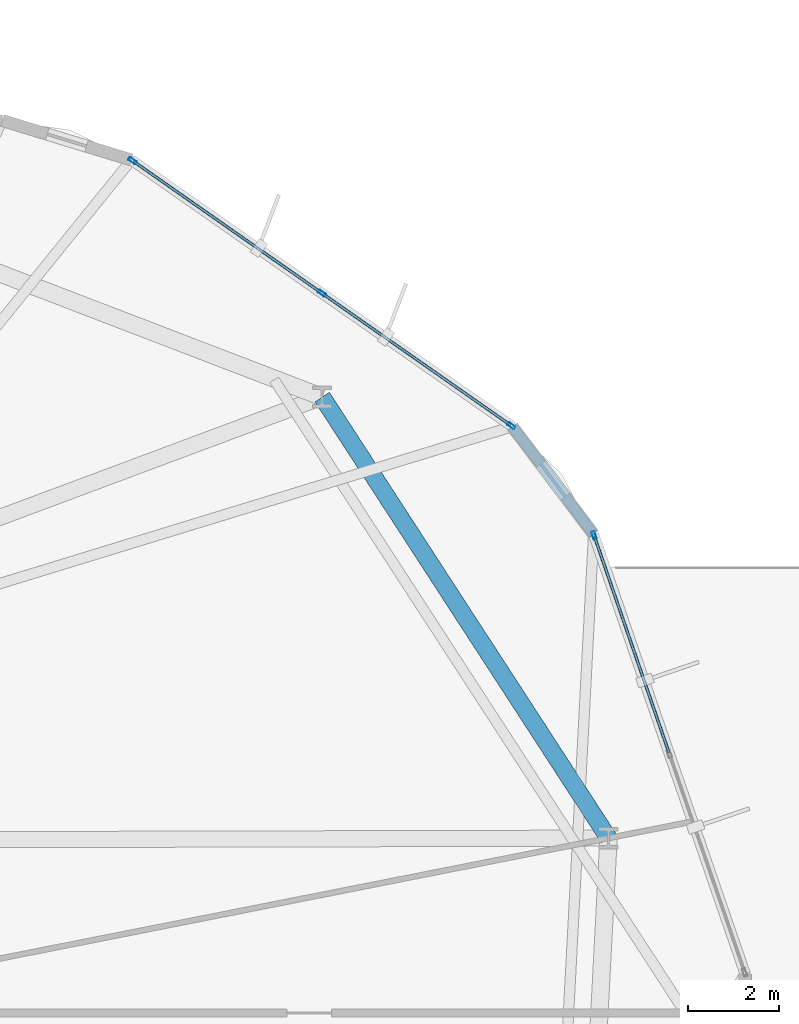
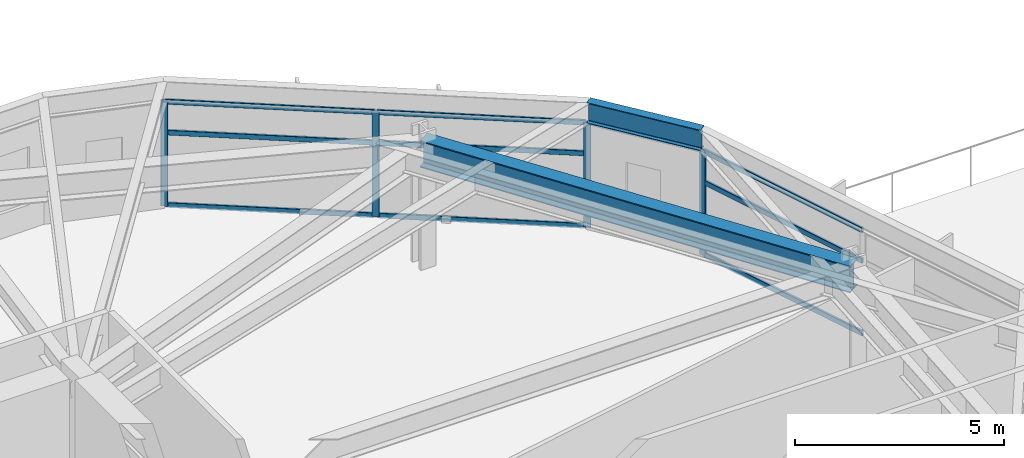
# One storey, part 15 of 23: 13 members, 2 beams, 2 elements without a shape of their own.
"""IFC4 building model written with IfcOpenShell, lengths in metres."""

import ifcopenshell
import ifcopenshell.guid

model = None  # the IFC model being written
_history = None  # IfcOwnerHistory: only IFC2X3 demands one
_inside = {}  # id of a spatial element -> (the spatial element, [elements in it])
_under = {}  # id of a project, library or spatial element -> (it, [spatial elements below it])
_declared = {}  # id of a project -> (the project, [libraries it declares])
_typed = {}  # id of a type object -> (the type object, [elements of that type])
_made_of = {}  # id of a material, layer set ... -> (it, [elements and type objects made of it])


def new_model(schema):
    """Start an empty IFC model of exactly this schema.

    Asked for "IFC4X3", IfcOpenShell would pick the latest addendum, in which some entities
    have other attributes; the version numbers below select the first issue.
    IFC2X3 requires an IfcOwnerHistory on every rooted entity: one is made here for all.
    """
    global model, _history
    if schema == "IFC4X3":
        model = ifcopenshell.file(schema_version=(4, 3, 0, 0))
    else:
        model = ifcopenshell.file(schema=schema)
    _inside.clear()
    _under.clear()
    _declared.clear()
    _typed.clear()
    _made_of.clear()
    _history = None
    if model.schema == "IFC2X3":
        org = make("IfcOrganization", Name="unknown")
        user = make(
            "IfcPersonAndOrganization",
            ThePerson=make("IfcPerson", FamilyName="unknown"),
            TheOrganization=org,
        )
        app = make(
            "IfcApplication",
            ApplicationDeveloper=org,
            Version="unknown",
            ApplicationFullName="unknown",
            ApplicationIdentifier="unknown",
        )
        _history = make(
            "IfcOwnerHistory",
            OwningUser=user,
            OwningApplication=app,
            ChangeAction="ADDED",
            CreationDate=0,
        )
    return model


def make(cls, **values):
    """One entity of the class cls with the attributes given. An attribute that is None is left unset."""
    return model.create_entity(
        cls, **{name: value for name, value in values.items() if value is not None}
    )


def rooted(cls, **values):
    """An entity with a GlobalId (a new one), such as an element, a storey or a relation."""
    return make(cls, GlobalId=ifcopenshell.guid.new(), OwnerHistory=_history, **values)


def si_unit(unit_type, name, prefix=None):
    """IfcSIUnit, for example si_unit("LENGTHUNIT", "METRE", prefix="MILLI")."""
    return make("IfcSIUnit", UnitType=unit_type, Prefix=prefix, Name=name)


def assignment(units):
    """IfcUnitAssignment: the units of a project."""
    return None if units is None else make("IfcUnitAssignment", Units=units)


def point(xyz):
    """IfcCartesianPoint."""
    return None if xyz is None else make("IfcCartesianPoint", Coordinates=xyz)


def direction(xyz):
    """IfcDirection."""
    return None if xyz is None else make("IfcDirection", DirectionRatios=xyz)


def frame(location, z_axis=None, x_axis=None):
    """IfcAxis2Placement3D, a coordinate frame: its origin and axes. An axis left out is left unset."""
    return make(
        "IfcAxis2Placement3D",
        Location=point(location),
        Axis=direction(z_axis),
        RefDirection=direction(x_axis),
    )


def frame_2d(location, x_axis=None):
    """IfcAxis2Placement2D, a coordinate frame in the plane: its origin and x axis."""
    return make(
        "IfcAxis2Placement2D", Location=point(location), RefDirection=direction(x_axis)
    )


def origin():
    """The frame at (0, 0, 0) with its axes left unset."""
    return frame((0.0, 0.0, 0.0))


def origin_2d():
    """The frame at (0, 0) in the plane with its x axis left unset."""
    return frame_2d((0.0, 0.0))


def place(relative_to, where):
    """IfcLocalPlacement: puts the frame where relative to a parent placement (None: the world)."""
    return make(
        "IfcLocalPlacement", PlacementRelTo=relative_to, RelativePlacement=where
    )


def context(
    kind, dimensions, precision=None, world=None, true_north=None, identifier=None
):
    """IfcGeometricRepresentationContext, for example the 3D "Model" context."""
    return make(
        "IfcGeometricRepresentationContext",
        ContextIdentifier=identifier,
        ContextType=kind,
        CoordinateSpaceDimension=dimensions,
        Precision=precision,
        WorldCoordinateSystem=world,
        TrueNorth=true_north,
    )


def subcontext(parent, identifier, kind, view, scale=None):
    """IfcGeometricRepresentationSubContext, for example "Body" below "Model"."""
    return make(
        "IfcGeometricRepresentationSubContext",
        ContextIdentifier=identifier,
        ContextType=kind,
        ParentContext=parent,
        TargetScale=scale,
        TargetView=view,
    )


def project(units=None, contexts=None):
    """IfcProject with its units and contexts."""
    return rooted(
        "IfcProject",
        Name="project",
        RepresentationContexts=contexts,
        UnitsInContext=assignment(units),
    )


def spatial(cls, under=None, at=None, **own):
    """A site, building, storey or space (cls), placed at a placement, below another one or the project."""
    s = rooted(cls, ObjectPlacement=at, **own)
    if under is not None:
        _under.setdefault(under.id(), (under, []))[1].append(s)
    return s


def profile(cls, at=None, kind="AREA", **sizes):
    """A parametric profile (cls). Its sizes go by their IFC names, for example OverallWidth=200.0."""
    return make(cls, ProfileType=kind, Position=at, **sizes)


def hollow_rectangle(**sizes):
    """IfcRectangleHollowProfileDef."""
    return profile("IfcRectangleHollowProfileDef", **sizes)


def i_section(**sizes):
    """IfcIShapeProfileDef."""
    return profile("IfcIShapeProfileDef", **sizes)


def extrude(swept, where, along, depth):
    """IfcExtrudedAreaSolid: the profile swept, set in the frame where, extruded along a direction by depth."""
    return make(
        "IfcExtrudedAreaSolid",
        SweptArea=swept,
        Position=where,
        ExtrudedDirection=direction(along),
        Depth=depth,
    )


def shape(context_of_items, identifier, shape_type, items):
    """IfcShapeRepresentation: the items that make up one representation, for example the "Body"."""
    return make(
        "IfcShapeRepresentation",
        ContextOfItems=context_of_items,
        RepresentationIdentifier=identifier,
        RepresentationType=shape_type,
        Items=items,
    )


def material(Name=None, Category=None):
    """IfcMaterial."""
    return make("IfcMaterial", Name=Name, Category=Category)


def layer(
    of_material, thickness, ventilated=None, Name=None, Category=None, Priority=None
):
    """IfcMaterialLayer: one layer of a wall or slab, of a material (None: an air gap)."""
    return make(
        "IfcMaterialLayer",
        Material=of_material,
        LayerThickness=thickness,
        IsVentilated=ventilated,
        Name=Name,
        Category=Category,
        Priority=Priority,
    )


def layer_set(layers, Name=None):
    """IfcMaterialLayerSet."""
    return make("IfcMaterialLayerSet", MaterialLayers=layers, LayerSetName=Name)


def material_profile(
    of_material, cross_section, Name=None, Category=None, Priority=None
):
    """IfcMaterialProfile: a cross section and its material."""
    return make(
        "IfcMaterialProfile",
        Name=Name,
        Material=of_material,
        Profile=cross_section,
        Priority=Priority,
        Category=Category,
    )


def profile_set(profiles, Name=None, composite=None):
    """IfcMaterialProfileSet."""
    return make(
        "IfcMaterialProfileSet",
        Name=Name,
        MaterialProfiles=profiles,
        CompositeProfile=composite,
    )


def made_of(thing, what):
    """Note that an element or type object is made of a material, layer set ...; save() writes the relation."""
    if what is not None:
        _made_of.setdefault(what.id(), (what, []))[1].append(thing)
    return thing


def type_object(cls, material=None, **own):
    """A type object (cls), such as IfcWallType, which elements share."""
    return made_of(rooted(cls, **own), material)


def element(
    cls,
    number,
    at=None,
    inside=None,
    cuts=None,
    type_object=None,
    material=None,
    context=None,
    identifier="Body",
    shape_type=None,
    held_by="IfcProductDefinitionShape",
    body=None,
    shapes=None,
    **own,
):
    """One element of the class cls, such as IfcWall. Its Tag is "e" and its number.

    at: its placement. inside: the storey or other place that contains it. cuts: it is an
    opening in that element (IfcRelVoidsElement). A single representation is given by context,
    identifier, shape_type and body (its items); several are given by shapes. held_by: the class
    of the entity that holds the representations. save() writes the other relations.
    """
    e = rooted(cls, Tag="e%d" % number, ObjectPlacement=at, **own)
    if body is not None:
        shapes = [shape(context, identifier, shape_type, body)]
    if shapes is not None:
        e.Representation = make(held_by, Representations=shapes)
    if inside is not None:
        _inside.setdefault(inside.id(), (inside, []))[1].append(e)
    if cuts is not None:
        rooted(
            "IfcRelVoidsElement", RelatingBuildingElement=cuts, RelatedOpeningElement=e
        )
    if type_object is not None:
        _typed.setdefault(type_object.id(), (type_object, []))[1].append(e)
    return made_of(e, material)


def aggregate(whole, parts):
    """IfcRelAggregates: a whole, such as a stair, and the parts it consists of."""
    return rooted("IfcRelAggregates", RelatingObject=whole, RelatedObjects=parts)


def save(model, path):
    """Write the relations noted so far, then the file.

    IfcRelAggregates (storeys below a building ...), IfcRelContainedInSpatialStructure (elements
    in a storey), IfcRelDefinesByType, IfcRelAssociatesMaterial and IfcRelDeclares: one each for
    every whole, place, type object, material and project.
    """
    for whole, parts in _under.values():
        aggregate(whole, parts)
    for where, things in _inside.values():
        rooted(
            "IfcRelContainedInSpatialStructure",
            RelatedElements=things,
            RelatingStructure=where,
        )
    for kind, things in _typed.values():
        rooted("IfcRelDefinesByType", RelatedObjects=things, RelatingType=kind)
    for what, things in _made_of.values():
        rooted("IfcRelAssociatesMaterial", RelatedObjects=things, RelatingMaterial=what)
    for by, libraries in _declared.values():
        rooted("IfcRelDeclares", RelatingContext=by, RelatedDefinitions=libraries)
    model.write(path)


model = new_model("IFC4")

# Units and contexts
model_context = context("Model", 3, precision=1e-05, world=origin(), true_north=direction((0.0, 1.0)))
body_context = subcontext(model_context, "Body", "Model", "MODEL_VIEW")
ifc_project = project(units=[si_unit("LENGTHUNIT", "METRE"), si_unit("AREAUNIT", "SQUARE_METRE"), si_unit("VOLUMEUNIT", "CUBIC_METRE"), si_unit("PLANEANGLEUNIT", "RADIAN"), si_unit("MASSUNIT", "GRAM", prefix="KILO")], contexts=[model_context])

# Site, building, storey
site_placement = place(None, origin())
site = spatial("IfcSite", under=ifc_project, at=site_placement, CompositionType="ELEMENT")
building_placement = place(site_placement, origin())
building = spatial("IfcBuilding", under=site, at=building_placement, Name="Soratama Intermodal Tower", CompositionType="ELEMENT")
storey_placement = place(building_placement, frame((0.0, 0.0, 30.60009765625)))
storey = spatial("IfcBuildingStorey", under=building, at=storey_placement, Name="L06", CompositionType="ELEMENT", Elevation=30.60009765625)

# Beams
ifc_material_1 = material(Name="Structural steel ASTM A992 Grade 50", Category="steel")
ifc_material_profile_1 = material_profile(ifc_material_1, i_section(OverallWidth=0.382080078125, OverallDepth=0.779052734375, WebThickness=0.01806640625, FlangeThickness=0.030029296875, FilletRadius=0.01806640625, at=origin_2d()), Name="W30X191")
ifc_profile_set_1 = profile_set([ifc_material_profile_1], Name="Structural steel ASTM A992 Grade 50")
beam_type_1 = type_object("IfcBeamType", Name="BM-RING-W30X191", PredefinedType="BEAM", material=ifc_profile_set_1)
beam_1_placement = place(storey_placement, frame((63.08203125, 29.844970703125, 3.310302734375), z_axis=(-0.544623370352, 0.838680740489, 0.0), x_axis=(-0.838680740489, -0.544623370352, 0.0)))
element("IfcBeam", 1, at=beam_1_placement, inside=storey, type_object=beam_type_1, Name="BM-L06-RING-01", PredefinedType="BEAM", context=body_context, shape_type="SweptSolid", body=[
    extrude(i_section(OverallWidth=0.382080078125, OverallDepth=0.779052734375, WebThickness=0.01806640625, FlangeThickness=0.030029296875, FilletRadius=0.01806640625, at=origin_2d()), origin(), (0.0, 0.0, 1.0), 11.569580078125),
])
ifc_material_2 = material(Name="Structural steel ASTM A992 Grade 50", Category="steel")
ifc_material_profile_2 = material_profile(ifc_material_2, i_section(OverallWidth=0.22900390625, OverallDepth=0.612060546875, WebThickness=0.011962890625, FlangeThickness=0.01953125, FilletRadius=0.012939453125, at=origin_2d()), Name="W24X84")
ifc_profile_set_2 = profile_set([ifc_material_profile_2], Name="Structural steel ASTM A992 Grade 50")
beam_type_2 = type_object("IfcBeamType", Name="BM-SPN-W24X84", PredefinedType="SPANDREL", material=ifc_profile_set_2)
beam_2_placement = place(storey_placement, frame((62.75390625, 36.531005859375, 3.393798828125), z_axis=(-0.602144651995, 0.798387010211, 0.0), x_axis=(-0.798387010211, -0.602144651995, 0.0)))
element("IfcBeam", 2, at=beam_2_placement, inside=storey, type_object=beam_type_2, Name="BS-L06-CRN01", PredefinedType="SPANDREL", context=body_context, shape_type="SweptSolid", body=[
    extrude(i_section(OverallWidth=0.22900390625, OverallDepth=0.612060546875, WebThickness=0.011962890625, FlangeThickness=0.01953125, FilletRadius=0.012939453125, at=origin_2d()), origin(), (0.0, 0.0, 1.0), 2.9658203125),
])

# Curtain wall, member
ifc_material_3 = material(Name="Double-glazed aluminium curtain wall", Category="aluminium")
ifc_layer = layer(ifc_material_3, 0.159912109375)
ifc_layer_set = layer_set([ifc_layer], Name="Double-glazed aluminium curtain wall")
curtain_wall_type = type_object("IfcCurtainWallType", Name="CW-SYS-2", PredefinedType="NOTDEFINED", material=ifc_layer_set)
curtain_wall_1_placement = place(storey_placement, origin())
curtain_wall_1 = element("IfcCurtainWall", 3, at=curtain_wall_1_placement, inside=storey, type_object=curtain_wall_type, Name="L06 Faceted Curtain Wall F01", PredefinedType="NOTDEFINED")
ifc_material_4 = material(Name="Anodised aluminium AA 6063-T6", Category="aluminium")
ifc_material_profile_3 = material_profile(ifc_material_4, hollow_rectangle(XDim=0.074951171875, YDim=0.179931640625, WallThickness=0.006103515625, InnerFilletRadius=0.006103515625, OuterFilletRadius=0.011962890625, at=origin_2d()), Name="CWM180X75X6")
ifc_profile_set_3 = profile_set([ifc_material_profile_3], Name="Anodised aluminium AA 6063-T6")
member_type_1 = type_object("IfcMemberType", Name="MT-CWM-2", PredefinedType="MULLION", material=ifc_profile_set_3)
member_1_placement = place(storey_placement, frame((62.76416015625, 36.50244140625, 0.0), z_axis=(0.0, 0.0, 1.0), x_axis=(-0.945406217514, -0.325894283296, 0.0)))
member_1 = element("IfcMember", 4, at=member_1_placement, type_object=member_type_1, Name="CW-2 mullion 3", PredefinedType="MULLION", context=body_context, shape_type="SweptSolid", body=[
    extrude(hollow_rectangle(XDim=0.074951171875, YDim=0.179931640625, WallThickness=0.006103515625, InnerFilletRadius=0.006103515625, OuterFilletRadius=0.011962890625, at=origin_2d()), origin(), (0.0, 0.0, 1.0), 3.078857421875),
])

# Curtain wall, members
curtain_wall_2_placement = place(storey_placement, origin())
curtain_wall_2 = element("IfcCurtainWall", 5, at=curtain_wall_2_placement, inside=storey, type_object=curtain_wall_type, Name="L06 Faceted Curtain Wall F02", PredefinedType="NOTDEFINED")
member_2_placement = place(storey_placement, frame((60.943603515625, 38.91650390625, 0.0), z_axis=(0.0, 0.0, 1.0), x_axis=(-0.573295700615, -0.819348545893, 0.0)))
member_2 = element("IfcMember", 6, at=member_2_placement, type_object=member_type_1, Name="CW-2 mullion 1", PredefinedType="MULLION", context=body_context, shape_type="SweptSolid", body=[
    extrude(hollow_rectangle(XDim=0.074951171875, YDim=0.179931640625, WallThickness=0.006103515625, InnerFilletRadius=0.006103515625, OuterFilletRadius=0.011962890625, at=origin_2d()), origin(), (0.0, 0.0, 1.0), 3.078857421875),
])
member_3_placement = place(storey_placement, frame((56.777099609375, 41.831787109375, 0.0), z_axis=(0.0, 0.0, 1.0), x_axis=(-0.573295700615, -0.819348545893, 0.0)))
member_3 = element("IfcMember", 7, at=member_3_placement, type_object=member_type_1, Name="CW-2 mullion 2", PredefinedType="MULLION", context=body_context, shape_type="SweptSolid", body=[
    extrude(hollow_rectangle(XDim=0.074951171875, YDim=0.179931640625, WallThickness=0.006103515625, InnerFilletRadius=0.006103515625, OuterFilletRadius=0.011962890625, at=origin_2d()), origin(), (0.0, 0.0, 1.0), 3.078857421875),
])
member_4_placement = place(storey_placement, frame((52.610595703125, 44.7470703125, 0.0), z_axis=(0.0, 0.0, 1.0), x_axis=(-0.573295700615, -0.819348545893, 0.0)))
member_4 = element("IfcMember", 8, at=member_4_placement, type_object=member_type_1, Name="CW-2 mullion 3", PredefinedType="MULLION", context=body_context, shape_type="SweptSolid", body=[
    extrude(hollow_rectangle(XDim=0.074951171875, YDim=0.179931640625, WallThickness=0.006103515625, InnerFilletRadius=0.006103515625, OuterFilletRadius=0.011962890625, at=origin_2d()), origin(), (0.0, 0.0, 1.0), 3.078857421875),
])

# Member
ifc_material_5 = material(Name="Anodised aluminium AA 6063-T6", Category="aluminium")
ifc_material_profile_4 = material_profile(ifc_material_5, hollow_rectangle(XDim=0.06494140625, YDim=0.14990234375, WallThickness=0.0048828125, InnerFilletRadius=0.0048828125, OuterFilletRadius=0.010009765625, at=origin_2d()), Name="CWT150X65X5")
ifc_profile_set_4 = profile_set([ifc_material_profile_4], Name="Anodised aluminium AA 6063-T6")
member_type_2 = type_object("IfcMemberType", Name="TT-CWT-1", PredefinedType="USERDEFINED", material=ifc_profile_set_4)
member_5_placement = place(storey_placement, frame((64.41162109375, 31.72314453125, 0.02978515625), z_axis=(-0.32588887065, 0.945408083309, 0.0), x_axis=(-0.945408083309, -0.32588887065, 0.0)))
member_5 = element("IfcMember", 9, at=member_5_placement, type_object=member_type_2, Name="CW-2 transom 2.1", ObjectType="TRANSOM", PredefinedType="USERDEFINED", context=body_context, shape_type="SweptSolid", body=[
    extrude(hollow_rectangle(XDim=0.06494140625, YDim=0.14990234375, WallThickness=0.0048828125, InnerFilletRadius=0.0048828125, OuterFilletRadius=0.010009765625, at=origin_2d()), origin(), (0.0, 0.0, 1.0), 5.025390625),
])

member_6_placement = place(storey_placement, frame((64.41162109375, 31.72314453125, 2.14990234375), z_axis=(-0.32588887065, 0.945408083309, 0.0), x_axis=(-0.945408083309, -0.32588887065, 0.0)))
member_6 = element("IfcMember", 10, at=member_6_placement, type_object=member_type_2, Name="CW-2 transom 2.2", ObjectType="TRANSOM", PredefinedType="USERDEFINED", context=body_context, shape_type="SweptSolid", body=[
    extrude(hollow_rectangle(XDim=0.06494140625, YDim=0.14990234375, WallThickness=0.0048828125, InnerFilletRadius=0.0048828125, OuterFilletRadius=0.010009765625, at=origin_2d()), origin(), (0.0, 0.0, 1.0), 5.025390625),
])

member_7_placement = place(storey_placement, frame((64.41162109375, 31.72314453125, 3.048828125), z_axis=(-0.32588887065, 0.945408083309, 0.0), x_axis=(-0.945408083309, -0.32588887065, 0.0)))
member_7 = element("IfcMember", 11, at=member_7_placement, type_object=member_type_2, Name="CW-2 transom 2.3", ObjectType="TRANSOM", PredefinedType="USERDEFINED", context=body_context, shape_type="SweptSolid", body=[
    extrude(hollow_rectangle(XDim=0.06494140625, YDim=0.14990234375, WallThickness=0.0048828125, InnerFilletRadius=0.0048828125, OuterFilletRadius=0.010009765625, at=origin_2d()), origin(), (0.0, 0.0, 1.0), 5.025390625),
])

aggregate(curtain_wall_1, [member_1, member_5, member_6, member_7])

member_8_placement = place(storey_placement, frame((60.9189453125, 38.93359375, 0.02978515625), z_axis=(-0.81933461419, 0.573315611151, 0.0), x_axis=(-0.573315611151, -0.81933461419, 0.0)))
member_8 = element("IfcMember", 12, at=member_8_placement, type_object=member_type_2, Name="CW-2 transom 1.1", ObjectType="TRANSOM", PredefinedType="USERDEFINED", context=body_context, shape_type="SweptSolid", body=[
    extrude(hollow_rectangle(XDim=0.06494140625, YDim=0.14990234375, WallThickness=0.0048828125, InnerFilletRadius=0.0048828125, OuterFilletRadius=0.010009765625, at=origin_2d()), origin(), (0.0, 0.0, 1.0), 5.025390625),
])

member_9_placement = place(storey_placement, frame((60.9189453125, 38.93359375, 2.14990234375), z_axis=(-0.81933461419, 0.573315611151, 0.0), x_axis=(-0.573315611151, -0.81933461419, 0.0)))
member_9 = element("IfcMember", 13, at=member_9_placement, type_object=member_type_2, Name="CW-2 transom 1.2", ObjectType="TRANSOM", PredefinedType="USERDEFINED", context=body_context, shape_type="SweptSolid", body=[
    extrude(hollow_rectangle(XDim=0.06494140625, YDim=0.14990234375, WallThickness=0.0048828125, InnerFilletRadius=0.0048828125, OuterFilletRadius=0.010009765625, at=origin_2d()), origin(), (0.0, 0.0, 1.0), 5.025390625),
])

member_10_placement = place(storey_placement, frame((60.9189453125, 38.93359375, 3.048828125), z_axis=(-0.81933461419, 0.573315611151, 0.0), x_axis=(-0.573315611151, -0.81933461419, 0.0)))
member_10 = element("IfcMember", 14, at=member_10_placement, type_object=member_type_2, Name="CW-2 transom 1.3", ObjectType="TRANSOM", PredefinedType="USERDEFINED", context=body_context, shape_type="SweptSolid", body=[
    extrude(hollow_rectangle(XDim=0.06494140625, YDim=0.14990234375, WallThickness=0.0048828125, InnerFilletRadius=0.0048828125, OuterFilletRadius=0.010009765625, at=origin_2d()), origin(), (0.0, 0.0, 1.0), 5.025390625),
])

member_11_placement = place(storey_placement, frame((56.75244140625, 41.848876953125, 0.02978515625), z_axis=(-0.81933461419, 0.573315611151, 0.0), x_axis=(-0.573315611151, -0.81933461419, 0.0)))
member_11 = element("IfcMember", 15, at=member_11_placement, type_object=member_type_2, Name="CW-2 transom 2.1", ObjectType="TRANSOM", PredefinedType="USERDEFINED", context=body_context, shape_type="SweptSolid", body=[
    extrude(hollow_rectangle(XDim=0.06494140625, YDim=0.14990234375, WallThickness=0.0048828125, InnerFilletRadius=0.0048828125, OuterFilletRadius=0.010009765625, at=origin_2d()), origin(), (0.0, 0.0, 1.0), 5.025390625),
])

member_12_placement = place(storey_placement, frame((56.75244140625, 41.848876953125, 2.14990234375), z_axis=(-0.81933461419, 0.573315611151, 0.0), x_axis=(-0.573315611151, -0.81933461419, 0.0)))
member_12 = element("IfcMember", 16, at=member_12_placement, type_object=member_type_2, Name="CW-2 transom 2.2", ObjectType="TRANSOM", PredefinedType="USERDEFINED", context=body_context, shape_type="SweptSolid", body=[
    extrude(hollow_rectangle(XDim=0.06494140625, YDim=0.14990234375, WallThickness=0.0048828125, InnerFilletRadius=0.0048828125, OuterFilletRadius=0.010009765625, at=origin_2d()), origin(), (0.0, 0.0, 1.0), 5.025390625),
])

member_13_placement = place(storey_placement, frame((56.75244140625, 41.848876953125, 3.048828125), z_axis=(-0.81933461419, 0.573315611151, 0.0), x_axis=(-0.573315611151, -0.81933461419, 0.0)))
member_13 = element("IfcMember", 17, at=member_13_placement, type_object=member_type_2, Name="CW-2 transom 2.3", ObjectType="TRANSOM", PredefinedType="USERDEFINED", context=body_context, shape_type="SweptSolid", body=[
    extrude(hollow_rectangle(XDim=0.06494140625, YDim=0.14990234375, WallThickness=0.0048828125, InnerFilletRadius=0.0048828125, OuterFilletRadius=0.010009765625, at=origin_2d()), origin(), (0.0, 0.0, 1.0), 5.025390625),
])

aggregate(curtain_wall_2, [member_2, member_3, member_4, member_8, member_9, member_10, member_11, member_12, member_13])

save(model, "model.ifc")
